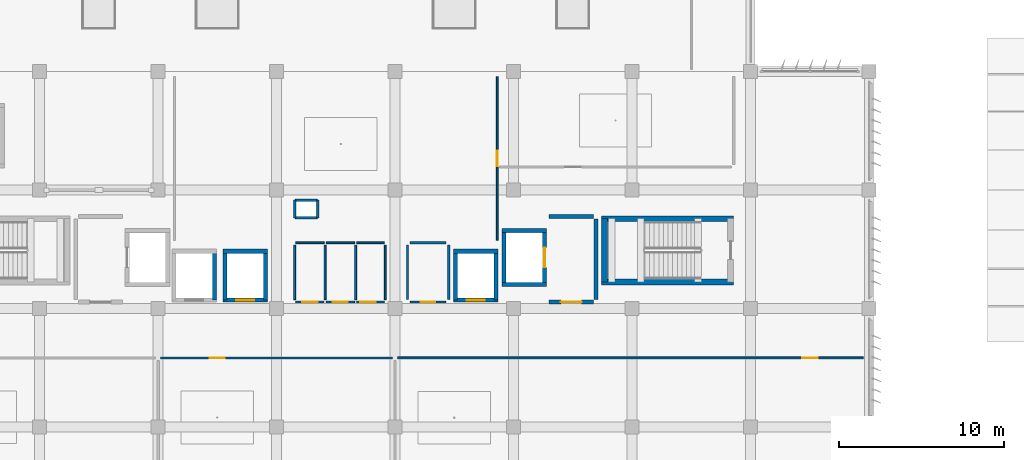
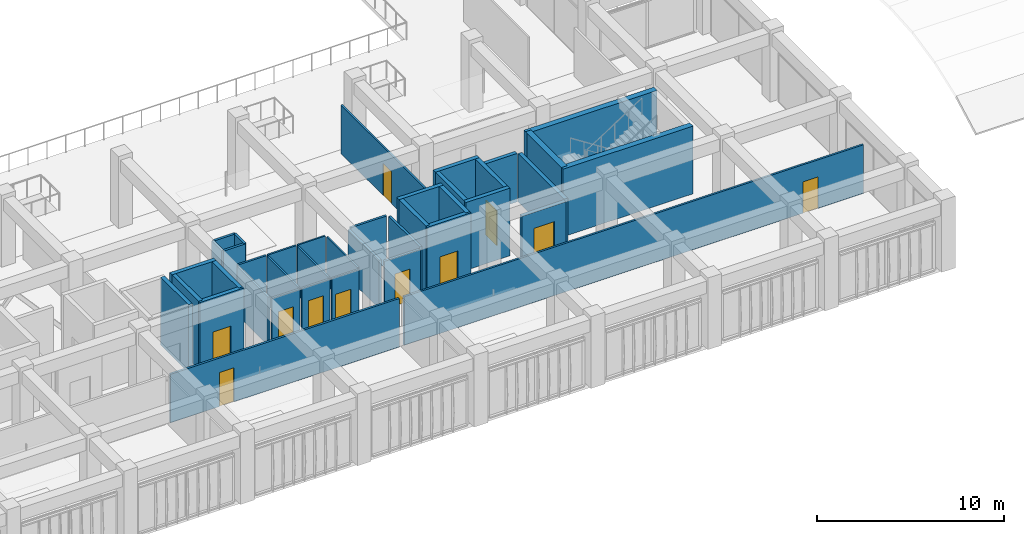
# One storey, part 31 of 55: 40 walls, 11 doors, 11 openings.
"""IFC4 building model written with IfcOpenShell, lengths in metres."""

import ifcopenshell
import ifcopenshell.guid

model = None  # the IFC model being written
_history = None  # IfcOwnerHistory: only IFC2X3 demands one
_inside = {}  # id of a spatial element -> (the spatial element, [elements in it])
_under = {}  # id of a project, library or spatial element -> (it, [spatial elements below it])
_declared = {}  # id of a project -> (the project, [libraries it declares])
_typed = {}  # id of a type object -> (the type object, [elements of that type])
_made_of = {}  # id of a material, layer set ... -> (it, [elements and type objects made of it])


def new_model(schema):
    """Start an empty IFC model of exactly this schema.

    Asked for "IFC4X3", IfcOpenShell would pick the latest addendum, in which some entities
    have other attributes; the version numbers below select the first issue.
    IFC2X3 requires an IfcOwnerHistory on every rooted entity: one is made here for all.
    """
    global model, _history
    if schema == "IFC4X3":
        model = ifcopenshell.file(schema_version=(4, 3, 0, 0))
    else:
        model = ifcopenshell.file(schema=schema)
    _inside.clear()
    _under.clear()
    _declared.clear()
    _typed.clear()
    _made_of.clear()
    _history = None
    if model.schema == "IFC2X3":
        org = make("IfcOrganization", Name="unknown")
        user = make(
            "IfcPersonAndOrganization",
            ThePerson=make("IfcPerson", FamilyName="unknown"),
            TheOrganization=org,
        )
        app = make(
            "IfcApplication",
            ApplicationDeveloper=org,
            Version="unknown",
            ApplicationFullName="unknown",
            ApplicationIdentifier="unknown",
        )
        _history = make(
            "IfcOwnerHistory",
            OwningUser=user,
            OwningApplication=app,
            ChangeAction="ADDED",
            CreationDate=0,
        )
    return model


def make(cls, **values):
    """One entity of the class cls with the attributes given. An attribute that is None is left unset."""
    return model.create_entity(
        cls, **{name: value for name, value in values.items() if value is not None}
    )


def rooted(cls, **values):
    """An entity with a GlobalId (a new one), such as an element, a storey or a relation."""
    return make(cls, GlobalId=ifcopenshell.guid.new(), OwnerHistory=_history, **values)


def si_unit(unit_type, name, prefix=None):
    """IfcSIUnit, for example si_unit("LENGTHUNIT", "METRE", prefix="MILLI")."""
    return make("IfcSIUnit", UnitType=unit_type, Prefix=prefix, Name=name)


def assignment(units):
    """IfcUnitAssignment: the units of a project."""
    return None if units is None else make("IfcUnitAssignment", Units=units)


def point(xyz):
    """IfcCartesianPoint."""
    return None if xyz is None else make("IfcCartesianPoint", Coordinates=xyz)


def direction(xyz):
    """IfcDirection."""
    return None if xyz is None else make("IfcDirection", DirectionRatios=xyz)


def frame(location, z_axis=None, x_axis=None):
    """IfcAxis2Placement3D, a coordinate frame: its origin and axes. An axis left out is left unset."""
    return make(
        "IfcAxis2Placement3D",
        Location=point(location),
        Axis=direction(z_axis),
        RefDirection=direction(x_axis),
    )


def frame_2d(location, x_axis=None):
    """IfcAxis2Placement2D, a coordinate frame in the plane: its origin and x axis."""
    return make(
        "IfcAxis2Placement2D", Location=point(location), RefDirection=direction(x_axis)
    )


def origin():
    """The frame at (0, 0, 0) with its axes left unset."""
    return frame((0.0, 0.0, 0.0))


def place(relative_to, where):
    """IfcLocalPlacement: puts the frame where relative to a parent placement (None: the world)."""
    return make(
        "IfcLocalPlacement", PlacementRelTo=relative_to, RelativePlacement=where
    )


def context(
    kind, dimensions, precision=None, world=None, true_north=None, identifier=None
):
    """IfcGeometricRepresentationContext, for example the 3D "Model" context."""
    return make(
        "IfcGeometricRepresentationContext",
        ContextIdentifier=identifier,
        ContextType=kind,
        CoordinateSpaceDimension=dimensions,
        Precision=precision,
        WorldCoordinateSystem=world,
        TrueNorth=true_north,
    )


def subcontext(parent, identifier, kind, view, scale=None):
    """IfcGeometricRepresentationSubContext, for example "Body" below "Model"."""
    return make(
        "IfcGeometricRepresentationSubContext",
        ContextIdentifier=identifier,
        ContextType=kind,
        ParentContext=parent,
        TargetScale=scale,
        TargetView=view,
    )


def project(units=None, contexts=None):
    """IfcProject with its units and contexts."""
    return rooted(
        "IfcProject",
        Name="project",
        RepresentationContexts=contexts,
        UnitsInContext=assignment(units),
    )


def spatial(cls, under=None, at=None, **own):
    """A site, building, storey or space (cls), placed at a placement, below another one or the project."""
    s = rooted(cls, ObjectPlacement=at, **own)
    if under is not None:
        _under.setdefault(under.id(), (under, []))[1].append(s)
    return s


def profile(cls, at=None, kind="AREA", **sizes):
    """A parametric profile (cls). Its sizes go by their IFC names, for example OverallWidth=200.0."""
    return make(cls, ProfileType=kind, Position=at, **sizes)


def rectangle(**sizes):
    """IfcRectangleProfileDef."""
    return profile("IfcRectangleProfileDef", **sizes)


def extrude(swept, where, along, depth):
    """IfcExtrudedAreaSolid: the profile swept, set in the frame where, extruded along a direction by depth."""
    return make(
        "IfcExtrudedAreaSolid",
        SweptArea=swept,
        Position=where,
        ExtrudedDirection=direction(along),
        Depth=depth,
    )


def shape(context_of_items, identifier, shape_type, items):
    """IfcShapeRepresentation: the items that make up one representation, for example the "Body"."""
    return make(
        "IfcShapeRepresentation",
        ContextOfItems=context_of_items,
        RepresentationIdentifier=identifier,
        RepresentationType=shape_type,
        Items=items,
    )


def material(Name=None, Category=None):
    """IfcMaterial."""
    return make("IfcMaterial", Name=Name, Category=Category)


def layer(
    of_material, thickness, ventilated=None, Name=None, Category=None, Priority=None
):
    """IfcMaterialLayer: one layer of a wall or slab, of a material (None: an air gap)."""
    return make(
        "IfcMaterialLayer",
        Material=of_material,
        LayerThickness=thickness,
        IsVentilated=ventilated,
        Name=Name,
        Category=Category,
        Priority=Priority,
    )


def layer_set(layers, Name=None):
    """IfcMaterialLayerSet."""
    return make("IfcMaterialLayerSet", MaterialLayers=layers, LayerSetName=Name)


def made_of(thing, what):
    """Note that an element or type object is made of a material, layer set ...; save() writes the relation."""
    if what is not None:
        _made_of.setdefault(what.id(), (what, []))[1].append(thing)
    return thing


def type_object(cls, material=None, **own):
    """A type object (cls), such as IfcWallType, which elements share."""
    return made_of(rooted(cls, **own), material)


def element(
    cls,
    number,
    at=None,
    inside=None,
    cuts=None,
    type_object=None,
    material=None,
    context=None,
    identifier="Body",
    shape_type=None,
    held_by="IfcProductDefinitionShape",
    body=None,
    shapes=None,
    **own,
):
    """One element of the class cls, such as IfcWall. Its Tag is "e" and its number.

    at: its placement. inside: the storey or other place that contains it. cuts: it is an
    opening in that element (IfcRelVoidsElement). A single representation is given by context,
    identifier, shape_type and body (its items); several are given by shapes. held_by: the class
    of the entity that holds the representations. save() writes the other relations.
    """
    e = rooted(cls, Tag="e%d" % number, ObjectPlacement=at, **own)
    if body is not None:
        shapes = [shape(context, identifier, shape_type, body)]
    if shapes is not None:
        e.Representation = make(held_by, Representations=shapes)
    if inside is not None:
        _inside.setdefault(inside.id(), (inside, []))[1].append(e)
    if cuts is not None:
        rooted(
            "IfcRelVoidsElement", RelatingBuildingElement=cuts, RelatedOpeningElement=e
        )
    if type_object is not None:
        _typed.setdefault(type_object.id(), (type_object, []))[1].append(e)
    return made_of(e, material)


def fill(opening, filler):
    """IfcRelFillsElement: the door or window that sits in an opening."""
    return rooted(
        "IfcRelFillsElement",
        RelatingOpeningElement=opening,
        RelatedBuildingElement=filler,
    )


def aggregate(whole, parts):
    """IfcRelAggregates: a whole, such as a stair, and the parts it consists of."""
    return rooted("IfcRelAggregates", RelatingObject=whole, RelatedObjects=parts)


def save(model, path):
    """Write the relations noted so far, then the file.

    IfcRelAggregates (storeys below a building ...), IfcRelContainedInSpatialStructure (elements
    in a storey), IfcRelDefinesByType, IfcRelAssociatesMaterial and IfcRelDeclares: one each for
    every whole, place, type object, material and project.
    """
    for whole, parts in _under.values():
        aggregate(whole, parts)
    for where, things in _inside.values():
        rooted(
            "IfcRelContainedInSpatialStructure",
            RelatedElements=things,
            RelatingStructure=where,
        )
    for kind, things in _typed.values():
        rooted("IfcRelDefinesByType", RelatedObjects=things, RelatingType=kind)
    for what, things in _made_of.values():
        rooted("IfcRelAssociatesMaterial", RelatedObjects=things, RelatingMaterial=what)
    for by, libraries in _declared.values():
        rooted("IfcRelDeclares", RelatingContext=by, RelatedDefinitions=libraries)
    model.write(path)


model = new_model("IFC4")

# Units and contexts
model_context = context("Model", 3, precision=1e-05, world=origin(), true_north=direction((0.0, 1.0)))
body_context = subcontext(model_context, "Body", "Model", "MODEL_VIEW")
ifc_project = project(units=[si_unit("LENGTHUNIT", "METRE"), si_unit("AREAUNIT", "SQUARE_METRE"), si_unit("VOLUMEUNIT", "CUBIC_METRE"), si_unit("PLANEANGLEUNIT", "RADIAN"), si_unit("MASSUNIT", "GRAM", prefix="KILO")], contexts=[model_context])

# Site, building, storey
site_placement = place(None, origin())
site = spatial("IfcSite", under=ifc_project, at=site_placement, CompositionType="ELEMENT")
building_placement = place(site_placement, origin())
building = spatial("IfcBuilding", under=site, at=building_placement, Name="Kazehaya Institute of Natural Sciences", CompositionType="ELEMENT")
storey_placement = place(building_placement, frame((0.0, 0.0, 15.1201171875)))
storey = spatial("IfcBuildingStorey", under=building, at=storey_placement, Name="L03", CompositionType="ELEMENT", Elevation=15.1201171875)

# Walls
ifc_material_1 = material(Name="Concrete Fc42", Category="concrete")
ifc_layer_1 = layer(ifc_material_1, 0.35009765625, Name="Concrete Fc42", Category="concrete")
ifc_layer_set_1 = layer_set([ifc_layer_1], Name="Concrete Fc42")
wall_type_1 = type_object("IfcWallType", Name="WL-CORE-350", PredefinedType="SHEAR", material=ifc_layer_set_1)
for number, where, z_axis, x_axis, name in (
    (1, (111.155029296875, 22.820068359375, 0.0), (0.0, 0.0, 1.0), (-1.0, 0.0, 0.0), "L03 ST-2 core wall S"),
    (2, (103.14501953125, 26.659912109375, 0.0), (0.0, 0.0, 1.0), (1.0, 0.0, 0.0), "L03 ST-2 core wall N"),
):
    element("IfcWall", number, at=place(storey_placement, frame(where, z_axis=z_axis, x_axis=x_axis)), inside=storey, type_object=wall_type_1, Name=name, PredefinedType="SHEAR", context=body_context, shape_type="SweptSolid", body=[
        extrude(rectangle(XDim=8.010009765625, YDim=0.35009765625, at=frame_2d((4.0048828125, 0.0))), origin(), (0.0, 0.0, 1.0), 4.409912109375),
    ])
wall_1_placement = place(storey_placement, frame((103.320068359375, 22.820068359375, 0.0), z_axis=(0.0, 0.0, 1.0), x_axis=(0.0, 1.0, 0.0)))
element("IfcWall", 3, at=wall_1_placement, inside=storey, type_object=wall_type_1, Name="L03 ST-2 core wall W", PredefinedType="SHEAR", context=body_context, shape_type="SweptSolid", body=[
    extrude(rectangle(XDim=3.83984375, YDim=0.35009765625, at=frame_2d((1.919921875, 0.0))), origin(), (0.0, 0.0, 1.0), 4.409912109375),
])

# Wall, opening, door
ifc_material_2 = material(Name="Concrete Fc36", Category="concrete")
ifc_layer_2 = layer(ifc_material_2, 0.22998046875, Name="Concrete Fc36", Category="concrete")
ifc_layer_set_2 = layer_set([ifc_layer_2], Name="Concrete Fc36")
wall_type_2 = type_object("IfcWallType", Name="WL-FFL-230", PredefinedType="PARTITIONING", material=ifc_layer_set_2)
wall_2_placement = place(storey_placement, frame((102.64990234375, 21.60009765625, 0.0), z_axis=(0.0, 0.0, 1.0), x_axis=(-1.0, 0.0, 0.0)))
wall_2 = element("IfcWall", 4, at=wall_2_placement, inside=storey, type_object=wall_type_2, Name="L03 East Firefighting Lift Lobby partition IW-L03-0176", PredefinedType="PARTITIONING", context=body_context, shape_type="SweptSolid", body=[
    extrude(rectangle(XDim=2.699951171875, YDim=0.22998046875, at=frame_2d((1.35009765625, 0.0))), origin(), (0.0, 0.0, 1.0), 3.159912109375),
])
opening_1_placement = place(wall_2_placement, frame((0.719970703125, 0.0, 0.0)))
opening_1 = element("IfcOpeningElement", 5, at=opening_1_placement, cuts=wall_2, Name="Opening D-L03-0120", PredefinedType="OPENING", context=body_context, shape_type="SweptSolid", body=[
    extrude(rectangle(XDim=1.260009765625, YDim=2.1201171875, at=frame_2d((0.6298828125, 1.06005859375))), frame((0.0, 0.125, 0.0), z_axis=(0.0, -1.0, 0.0), x_axis=(1.0, 0.0, 0.0)), (0.0, 0.0, 1.0), 0.25),
])
ifc_material_3 = material(Name="Fire-rated steel acoustic door", Category="steel")
door_type_1 = type_object("IfcDoorType", Name="DT-FD-29", OperationType="NOTDEFINED", PredefinedType="DOOR", material=ifc_material_3)
door_1_placement = place(opening_1_placement, origin())
door_1 = element("IfcDoor", 6, at=door_1_placement, inside=storey, type_object=door_type_1, Name="L03 East Firefighting Lift Lobby door D-L03-0120", OperationType="SINGLE_SWING_RIGHT", OverallHeight=2.1201171875, OverallWidth=1.260009765625, PredefinedType="DOOR", context=body_context, shape_type="SweptSolid", body=[
    extrude(rectangle(XDim=1.260009765625, YDim=2.1201171875, at=frame_2d((0.6298828125, 1.06005859375))), frame((0.0, 0.02490234375, 0.0), z_axis=(0.0, -1.0, 0.0), x_axis=(1.0, 0.0, 0.0)), (0.0, 0.0, 1.0), 0.050048828125),
])
fill(opening_1, door_1)

# Walls
wall_3_placement = place(storey_placement, frame((99.949951171875, 26.800048828125, 0.0), z_axis=(0.0, 0.0, 1.0), x_axis=(1.0, 0.0, 0.0)))
element("IfcWall", 7, at=wall_3_placement, inside=storey, type_object=wall_type_2, Name="L03 East Firefighting Lift Lobby partition IW-L03-0177", PredefinedType="PARTITIONING", context=body_context, shape_type="SweptSolid", body=[
    extrude(rectangle(XDim=2.699951171875, YDim=0.22998046875, at=frame_2d((1.35009765625, 0.0))), origin(), (0.0, 0.0, 1.0), 3.159912109375),
])
wall_4_placement = place(storey_placement, frame((102.800048828125, 26.64990234375, 0.0), z_axis=(0.0, 0.0, 1.0), x_axis=(0.0, -1.0, 0.0)))
element("IfcWall", 8, at=wall_4_placement, inside=storey, type_object=wall_type_2, Name="L03 East Firefighting Lift Lobby partition IW-L03-0178", PredefinedType="PARTITIONING", context=body_context, shape_type="SweptSolid", body=[
    extrude(rectangle(XDim=4.89990234375, YDim=0.22998046875, at=frame_2d((2.449951171875, 0.0))), origin(), (0.0, 0.0, 1.0), 3.159912109375),
])

# Wall, opening, door
ifc_material_4 = material(Name="Lightweight chase partition")
ifc_layer_3 = layer(ifc_material_4, 0.10009765625, Name="Lightweight chase partition")
ifc_layer_set_3 = layer_set([ifc_layer_3], Name="Lightweight chase partition")
wall_type_3 = type_object("IfcWallType", Name="WL-PART-100", PredefinedType="PARTITIONING", material=ifc_layer_set_3)
wall_5_placement = place(storey_placement, frame((89.93994140625, 21.60009765625, 0.0), z_axis=(0.0, 0.0, 1.0), x_axis=(-1.0, 0.0, 0.0)))
wall_5 = element("IfcWall", 9, at=wall_5_placement, inside=storey, type_object=wall_type_3, Name="L03 Accessible WC partition IW-L03-0186", PredefinedType="PARTITIONING", context=body_context, shape_type="SweptSolid", body=[
    extrude(rectangle(XDim=1.679931640625, YDim=0.10009765625, at=frame_2d((0.83984375, 0.0))), origin(), (0.0, 0.0, 1.0), 3.159912109375),
])
opening_2_placement = place(wall_5_placement, frame((0.510009765625, 0.0, 0.0)))
opening_2 = element("IfcOpeningElement", 10, at=opening_2_placement, cuts=wall_5, Name="Opening D-L03-0123", PredefinedType="OPENING", context=body_context, shape_type="SweptSolid", body=[
    extrude(rectangle(XDim=0.9599609375, YDim=2.050048828125, at=frame_2d((0.47998046875, 1.02490234375))), frame((0.0, 0.06005859375, 0.0), z_axis=(0.0, -1.0, 0.0), x_axis=(1.0, 0.0, 0.0)), (0.0, 0.0, 1.0), 0.1201171875),
])
ifc_material_5 = material(Name="Flush timber and aluminium laboratory door", Category="wood")
door_type_2 = type_object("IfcDoorType", Name="DT-INT-09", OperationType="NOTDEFINED", PredefinedType="DOOR", material=ifc_material_5)
door_2_placement = place(opening_2_placement, origin())
door_2 = element("IfcDoor", 11, at=door_2_placement, inside=storey, type_object=door_type_2, Name="L03 Accessible WC door D-L03-0123", OperationType="SINGLE_SWING_LEFT", OverallHeight=2.050048828125, OverallWidth=0.9599609375, PredefinedType="DOOR", context=body_context, shape_type="SweptSolid", body=[
    extrude(rectangle(XDim=0.9599609375, YDim=2.050048828125, at=frame_2d((0.47998046875, 1.02490234375))), frame((0.0, 0.02490234375, 0.0), z_axis=(0.0, -1.0, 0.0), x_axis=(1.0, 0.0, 0.0)), (0.0, 0.0, 1.0), 0.050048828125),
])
fill(opening_2, door_2)

# Walls
wall_6_placement = place(storey_placement, frame((88.260009765625, 25.199951171875, 0.0), z_axis=(0.0, 0.0, 1.0), x_axis=(1.0, 0.0, 0.0)))
element("IfcWall", 12, at=wall_6_placement, inside=storey, type_object=wall_type_3, Name="L03 Accessible WC partition IW-L03-0187", PredefinedType="PARTITIONING", context=body_context, shape_type="SweptSolid", body=[
    extrude(rectangle(XDim=1.679931640625, YDim=0.10009765625, at=frame_2d((0.83984375, 0.0))), origin(), (0.0, 0.0, 1.0), 3.159912109375),
])
wall_7_placement = place(storey_placement, frame((90.0, 25.050048828125, 0.0), z_axis=(0.0, 0.0, 1.0), x_axis=(0.0, -1.0, 0.0)))
element("IfcWall", 13, at=wall_7_placement, inside=storey, type_object=wall_type_3, Name="L03 Accessible WC partition IW-L03-0188", PredefinedType="PARTITIONING", context=body_context, shape_type="SweptSolid", body=[
    extrude(rectangle(XDim=3.300048828125, YDim=0.10009765625, at=frame_2d((1.64990234375, 0.0))), origin(), (0.0, 0.0, 1.0), 3.159912109375),
])

# Wall, opening, door
ifc_material_6 = material(Name="Glazed office demountable partition")
ifc_layer_4 = layer(ifc_material_6, 0.110107421875, Name="Glazed office demountable partition")
ifc_layer_set_4 = layer_set([ifc_layer_4], Name="Glazed office demountable partition")
wall_type_4 = type_object("IfcWallType", Name="WL-PART-110", PredefinedType="PARTITIONING", material=ifc_layer_set_4)
wall_8_placement = place(storey_placement, frame((88.139892578125, 21.60009765625, 0.0), z_axis=(0.0, 0.0, 1.0), x_axis=(-1.0, 0.0, 0.0)))
wall_8 = element("IfcWall", 14, at=wall_8_placement, inside=storey, type_object=wall_type_4, Name="L03 Female WC partition IW-L03-0183", PredefinedType="PARTITIONING", context=body_context, shape_type="SweptSolid", body=[
    extrude(rectangle(XDim=1.72998046875, YDim=0.110107421875, at=frame_2d((0.864990234375, 0.0))), origin(), (0.0, 0.0, 1.0), 3.159912109375),
])
opening_3_placement = place(wall_8_placement, frame((0.405029296875, 0.0, 0.0)))
opening_3 = element("IfcOpeningElement", 15, at=opening_3_placement, cuts=wall_8, Name="Opening D-L03-0122", PredefinedType="OPENING", context=body_context, shape_type="SweptSolid", body=[
    extrude(rectangle(XDim=0.929931640625, YDim=2.219970703125, at=frame_2d((0.46484375, 1.10986328125))), frame((0.0, 0.06494140625, 0.0), z_axis=(0.0, -1.0, 0.0), x_axis=(1.0, 0.0, 0.0)), (0.0, 0.0, 1.0), 0.130126953125),
])
door_type_3 = type_object("IfcDoorType", Name="DT-INT-08", OperationType="NOTDEFINED", PredefinedType="DOOR", material=ifc_material_5)
door_3_placement = place(opening_3_placement, origin())
door_3 = element("IfcDoor", 16, at=door_3_placement, inside=storey, type_object=door_type_3, Name="L03 Female WC door D-L03-0122", OperationType="SINGLE_SWING_RIGHT", OverallHeight=2.219970703125, OverallWidth=0.929931640625, PredefinedType="DOOR", context=body_context, shape_type="SweptSolid", body=[
    extrude(rectangle(XDim=0.929931640625, YDim=2.219970703125, at=frame_2d((0.46484375, 1.10986328125))), frame((0.0, 0.02490234375, 0.0), z_axis=(0.0, -1.0, 0.0), x_axis=(1.0, 0.0, 0.0)), (0.0, 0.0, 1.0), 0.050048828125),
])
fill(opening_3, door_3)

# Walls
wall_9_placement = place(storey_placement, frame((86.409912109375, 25.199951171875, 0.0), z_axis=(0.0, 0.0, 1.0), x_axis=(1.0, 0.0, 0.0)))
element("IfcWall", 17, at=wall_9_placement, inside=storey, type_object=wall_type_4, Name="L03 Female WC partition IW-L03-0184", PredefinedType="PARTITIONING", context=body_context, shape_type="SweptSolid", body=[
    extrude(rectangle(XDim=1.72998046875, YDim=0.110107421875, at=frame_2d((0.864990234375, 0.0))), origin(), (0.0, 0.0, 1.0), 3.159912109375),
])
wall_10_placement = place(storey_placement, frame((88.199951171875, 25.050048828125, 0.0), z_axis=(0.0, 0.0, 1.0), x_axis=(0.0, -1.0, 0.0)))
element("IfcWall", 18, at=wall_10_placement, inside=storey, type_object=wall_type_4, Name="L03 Female WC partition IW-L03-0185", PredefinedType="PARTITIONING", context=body_context, shape_type="SweptSolid", body=[
    extrude(rectangle(XDim=3.300048828125, YDim=0.110107421875, at=frame_2d((1.64990234375, 0.0))), origin(), (0.0, 0.0, 1.0), 3.159912109375),
])

# Wall, opening, door
wall_11_placement = place(storey_placement, frame((96.800048828125, 35.300048828125, 0.0), z_axis=(0.0, 0.0, 1.0), x_axis=(0.0, -1.0, 0.0)))
wall_11 = element("IfcWall", 19, at=wall_11_placement, inside=storey, type_object=wall_type_4, Name="L03 Isotope Geochemistry Laboratory partition IW-L03-0199", PredefinedType="PARTITIONING", context=body_context, shape_type="SweptSolid", body=[
    extrude(rectangle(XDim=9.949951171875, YDim=0.110107421875, at=frame_2d((4.97509765625, 0.0))), origin(), (0.0, 0.0, 1.0), 3.159912109375),
])
opening_4_placement = place(wall_11_placement, frame((4.510009765625, 0.0, 0.0)))
opening_4 = element("IfcOpeningElement", 20, at=opening_4_placement, cuts=wall_11, Name="Opening D-L03-0128", PredefinedType="OPENING", context=body_context, shape_type="SweptSolid", body=[
    extrude(rectangle(XDim=0.929931640625, YDim=2.10009765625, at=frame_2d((0.46484375, 1.050048828125))), frame((0.0, 0.06494140625, 0.0), z_axis=(0.0, -1.0, 0.0), x_axis=(1.0, 0.0, 0.0)), (0.0, 0.0, 1.0), 0.130126953125),
])
door_type_4 = type_object("IfcDoorType", Name="DT-INT-06", OperationType="NOTDEFINED", PredefinedType="DOOR", material=ifc_material_5)
door_4_placement = place(opening_4_placement, origin())
door_4 = element("IfcDoor", 21, at=door_4_placement, inside=storey, type_object=door_type_4, Name="L03 Isotope Geochemistry Laboratory door D-L03-0128", OperationType="SINGLE_SWING_RIGHT", OverallHeight=2.10009765625, OverallWidth=0.929931640625, PredefinedType="DOOR", context=body_context, shape_type="SweptSolid", body=[
    extrude(rectangle(XDim=0.929931640625, YDim=2.10009765625, at=frame_2d((0.46484375, 1.050048828125))), frame((0.0, 0.02490234375, 0.0), z_axis=(0.0, -1.0, 0.0), x_axis=(1.0, 0.0, 0.0)), (0.0, 0.0, 1.0), 0.050048828125),
])
fill(opening_4, door_4)

ifc_material_7 = material(Name="Gypsum write-up office partition", Category="gypsum")
ifc_layer_5 = layer(ifc_material_7, 0.1201171875, Name="Gypsum write-up office partition", Category="gypsum")
ifc_layer_set_5 = layer_set([ifc_layer_5], Name="Gypsum write-up office partition")
wall_type_5 = type_object("IfcWallType", Name="WL-PART-120", PredefinedType="PARTITIONING", material=ifc_layer_set_5)
wall_12_placement = place(storey_placement, frame((86.2900390625, 21.60009765625, 0.0), z_axis=(0.0, 0.0, 1.0), x_axis=(-1.0, 0.0, 0.0)))
wall_12 = element("IfcWall", 22, at=wall_12_placement, inside=storey, type_object=wall_type_5, Name="L03 Male WC partition IW-L03-0179", PredefinedType="PARTITIONING", context=body_context, shape_type="SweptSolid", body=[
    extrude(rectangle(XDim=1.72998046875, YDim=0.1201171875, at=frame_2d((0.864990234375, 0.0))), origin(), (0.0, 0.0, 1.0), 3.159912109375),
])
opening_5_placement = place(wall_12_placement, frame((0.405029296875, 0.0, 0.0)))
opening_5 = element("IfcOpeningElement", 23, at=opening_5_placement, cuts=wall_12, Name="Opening D-L03-0121", PredefinedType="OPENING", context=body_context, shape_type="SweptSolid", body=[
    extrude(rectangle(XDim=0.929931640625, YDim=2.159912109375, at=frame_2d((0.46484375, 1.080078125))), frame((0.0, 0.070068359375, 0.0), z_axis=(0.0, -1.0, 0.0), x_axis=(1.0, 0.0, 0.0)), (0.0, 0.0, 1.0), 0.14013671875),
])
door_type_5 = type_object("IfcDoorType", Name="DT-INT-07", OperationType="NOTDEFINED", PredefinedType="DOOR", material=ifc_material_5)
door_5_placement = place(opening_5_placement, origin())
door_5 = element("IfcDoor", 24, at=door_5_placement, inside=storey, type_object=door_type_5, Name="L03 Male WC door D-L03-0121", OperationType="SINGLE_SWING_LEFT", OverallHeight=2.159912109375, OverallWidth=0.929931640625, PredefinedType="DOOR", context=body_context, shape_type="SweptSolid", body=[
    extrude(rectangle(XDim=0.929931640625, YDim=2.159912109375, at=frame_2d((0.46484375, 1.080078125))), frame((0.0, 0.02490234375, 0.0), z_axis=(0.0, -1.0, 0.0), x_axis=(1.0, 0.0, 0.0)), (0.0, 0.0, 1.0), 0.050048828125),
])
fill(opening_5, door_5)

# Walls
wall_13_placement = place(storey_placement, frame((84.56005859375, 25.199951171875, 0.0), z_axis=(0.0, 0.0, 1.0), x_axis=(1.0, 0.0, 0.0)))
element("IfcWall", 25, at=wall_13_placement, inside=storey, type_object=wall_type_5, Name="L03 Male WC partition IW-L03-0180", PredefinedType="PARTITIONING", context=body_context, shape_type="SweptSolid", body=[
    extrude(rectangle(XDim=1.72998046875, YDim=0.1201171875, at=frame_2d((0.864990234375, 0.0))), origin(), (0.0, 0.0, 1.0), 3.159912109375),
])
for number, where, z_axis, x_axis, name in (
    (26, (84.5, 21.75, 0.0), (0.0, 0.0, 1.0), (0.0, 1.0, 0.0), "L03 Male WC partition IW-L03-0181"),
    (27, (86.35009765625, 25.050048828125, 0.0), (0.0, 0.0, 1.0), (0.0, -1.0, 0.0), "L03 Male WC partition IW-L03-0182"),
):
    element("IfcWall", number, at=place(storey_placement, frame(where, z_axis=z_axis, x_axis=x_axis)), inside=storey, type_object=wall_type_5, Name=name, PredefinedType="PARTITIONING", context=body_context, shape_type="SweptSolid", body=[
        extrude(rectangle(XDim=3.300048828125, YDim=0.1201171875, at=frame_2d((1.64990234375, 0.0))), origin(), (0.0, 0.0, 1.0), 3.159912109375),
    ])

# Wall, opening, door
wall_14_placement = place(storey_placement, frame((90.75, 18.199951171875, 0.0), z_axis=(0.0, 0.0, 1.0), x_axis=(1.0, 0.0, 0.0)))
wall_14 = element("IfcWall", 28, at=wall_14_placement, inside=storey, type_object=wall_type_5, Name="L03 Researcher Write-up Office partition IW-L03-0197", PredefinedType="PARTITIONING", context=body_context, shape_type="SweptSolid", body=[
    extrude(rectangle(XDim=28.300048828125, YDim=0.1201171875, at=frame_2d((14.14990234375, 0.0))), origin(), (0.0, 0.0, 1.0), 3.159912109375),
])
opening_6_placement = place(wall_14_placement, frame((24.5849609375, 0.0, 0.0)))
opening_6 = element("IfcOpeningElement", 29, at=opening_6_placement, cuts=wall_14, Name="Opening D-L03-0127", PredefinedType="OPENING", context=body_context, shape_type="SweptSolid", body=[
    extrude(rectangle(XDim=0.929931640625, YDim=2.050048828125, at=frame_2d((0.46484375, 1.02490234375))), frame((0.0, 0.070068359375, 0.0), z_axis=(0.0, -1.0, 0.0), x_axis=(1.0, 0.0, 0.0)), (0.0, 0.0, 1.0), 0.14013671875),
])
door_type_6 = type_object("IfcDoorType", Name="DT-INT-05", OperationType="NOTDEFINED", PredefinedType="DOOR", material=ifc_material_5)
door_6_placement = place(opening_6_placement, origin())
door_6 = element("IfcDoor", 30, at=door_6_placement, inside=storey, type_object=door_type_6, Name="L03 Researcher Write-up Office door D-L03-0127", OperationType="SINGLE_SWING_LEFT", OverallHeight=2.050048828125, OverallWidth=0.929931640625, PredefinedType="DOOR", context=body_context, shape_type="SweptSolid", body=[
    extrude(rectangle(XDim=0.929931640625, YDim=2.050048828125, at=frame_2d((0.46484375, 1.02490234375))), frame((0.0, 0.02490234375, 0.0), z_axis=(0.0, -1.0, 0.0), x_axis=(1.0, 0.0, 0.0)), (0.0, 0.0, 1.0), 0.050048828125),
])
fill(opening_6, door_6)

ifc_material_8 = material(Name="Moisture-resistant WC partition")
ifc_layer_6 = layer(ifc_material_8, 0.1298828125, Name="Moisture-resistant WC partition")
ifc_layer_set_6 = layer_set([ifc_layer_6], Name="Moisture-resistant WC partition")
wall_type_6 = type_object("IfcWallType", Name="WL-PART-130", PredefinedType="PARTITIONING", material=ifc_layer_set_6)
wall_15_placement = place(storey_placement, frame((76.35009765625, 18.199951171875, 0.0), z_axis=(0.0, 0.0, 1.0), x_axis=(1.0, 0.0, 0.0)))
wall_15 = element("IfcWall", 31, at=wall_15_placement, inside=storey, type_object=wall_type_6, Name="L03 Marine Biogeochemistry Laboratory partition IW-L03-0195", PredefinedType="PARTITIONING", context=body_context, shape_type="SweptSolid", body=[
    extrude(rectangle(XDim=14.099853515625, YDim=0.1298828125, at=frame_2d((7.0498046875, 0.0))), origin(), (0.0, 0.0, 1.0), 3.159912109375),
])
opening_7_placement = place(wall_15_placement, frame((3.0, 0.0, 0.0)))
opening_7 = element("IfcOpeningElement", 32, at=opening_7_placement, cuts=wall_15, Name="Opening D-L03-0126", PredefinedType="OPENING", context=body_context, shape_type="SweptSolid", body=[
    extrude(rectangle(XDim=0.89990234375, YDim=2.219970703125, at=frame_2d((0.449951171875, 1.10986328125))), frame((0.0, 0.074951171875, 0.0), z_axis=(0.0, -1.0, 0.0), x_axis=(1.0, 0.0, 0.0)), (0.0, 0.0, 1.0), 0.14990234375),
])
door_type_7 = type_object("IfcDoorType", Name="DT-INT-04", OperationType="NOTDEFINED", PredefinedType="DOOR", material=ifc_material_5)
door_7_placement = place(opening_7_placement, origin())
door_7 = element("IfcDoor", 33, at=door_7_placement, inside=storey, type_object=door_type_7, Name="L03 Marine Biogeochemistry Laboratory door D-L03-0126", OperationType="SINGLE_SWING_RIGHT", OverallHeight=2.219970703125, OverallWidth=0.89990234375, PredefinedType="DOOR", context=body_context, shape_type="SweptSolid", body=[
    extrude(rectangle(XDim=0.89990234375, YDim=2.219970703125, at=frame_2d((0.449951171875, 1.10986328125))), frame((0.0, 0.02490234375, 0.0), z_axis=(0.0, -1.0, 0.0), x_axis=(1.0, 0.0, 0.0)), (0.0, 0.0, 1.0), 0.050048828125),
])
fill(opening_7, door_7)

ifc_material_9 = material(Name="Gypsum partition", Category="gypsum")
ifc_layer_7 = layer(ifc_material_9, 0.139892578125, Name="Gypsum partition", Category="gypsum")
ifc_layer_set_7 = layer_set([ifc_layer_7], Name="Gypsum partition")
wall_type_7 = type_object("IfcWallType", Name="WL-PART-140", PredefinedType="PARTITIONING", material=ifc_layer_set_7)
wall_16_placement = place(storey_placement, frame((93.699951171875, 21.60009765625, 0.0), z_axis=(0.0, 0.0, 1.0), x_axis=(-1.0, 0.0, 0.0)))
wall_16 = element("IfcWall", 34, at=wall_16_placement, inside=storey, type_object=wall_type_7, Name="L03 Ostomate WC partition IW-L03-0189", PredefinedType="PARTITIONING", context=body_context, shape_type="SweptSolid", body=[
    extrude(rectangle(XDim=2.199951171875, YDim=0.139892578125, at=frame_2d((1.10009765625, 0.0))), origin(), (0.0, 0.0, 1.0), 3.159912109375),
])
opening_8_placement = place(wall_16_placement, frame((0.64990234375, 0.0, 0.0)))
opening_8 = element("IfcOpeningElement", 35, at=opening_8_placement, cuts=wall_16, Name="Opening D-L03-0124", PredefinedType="OPENING", context=body_context, shape_type="SweptSolid", body=[
    extrude(rectangle(XDim=0.89990234375, YDim=2.10009765625, at=frame_2d((0.449951171875, 1.050048828125))), frame((0.0, 0.079833984375, 0.0), z_axis=(0.0, -1.0, 0.0), x_axis=(1.0, 0.0, 0.0)), (0.0, 0.0, 1.0), 0.159912109375),
])
door_type_8 = type_object("IfcDoorType", Name="DT-INT-02", OperationType="NOTDEFINED", PredefinedType="DOOR", material=ifc_material_5)
door_8_placement = place(opening_8_placement, origin())
door_8 = element("IfcDoor", 36, at=door_8_placement, inside=storey, type_object=door_type_8, Name="L03 Ostomate WC door D-L03-0124", OperationType="SINGLE_SWING_RIGHT", OverallHeight=2.10009765625, OverallWidth=0.89990234375, PredefinedType="DOOR", context=body_context, shape_type="SweptSolid", body=[
    extrude(rectangle(XDim=0.89990234375, YDim=2.10009765625, at=frame_2d((0.449951171875, 1.050048828125))), frame((0.0, 0.02490234375, 0.0), z_axis=(0.0, -1.0, 0.0), x_axis=(1.0, 0.0, 0.0)), (0.0, 0.0, 1.0), 0.050048828125),
])
fill(opening_8, door_8)

# Walls
wall_17_placement = place(storey_placement, frame((91.5, 25.199951171875, 0.0), z_axis=(0.0, 0.0, 1.0), x_axis=(1.0, 0.0, 0.0)))
element("IfcWall", 37, at=wall_17_placement, inside=storey, type_object=wall_type_7, Name="L03 Ostomate WC partition IW-L03-0190", PredefinedType="PARTITIONING", context=body_context, shape_type="SweptSolid", body=[
    extrude(rectangle(XDim=2.199951171875, YDim=0.139892578125, at=frame_2d((1.10009765625, 0.0))), origin(), (0.0, 0.0, 1.0), 3.159912109375),
])
for number, where, z_axis, x_axis, name in (
    (38, (91.35009765625, 21.75, 0.0), (0.0, 0.0, 1.0), (0.0, 1.0, 0.0), "L03 Ostomate WC partition IW-L03-0191"),
    (39, (93.85009765625, 25.050048828125, 0.0), (0.0, 0.0, 1.0), (0.0, -1.0, 0.0), "L03 Ostomate WC partition IW-L03-0192"),
):
    element("IfcWall", number, at=place(storey_placement, frame(where, z_axis=z_axis, x_axis=x_axis)), inside=storey, type_object=wall_type_7, Name=name, PredefinedType="PARTITIONING", context=body_context, shape_type="SweptSolid", body=[
        extrude(rectangle(XDim=3.300048828125, YDim=0.139892578125, at=frame_2d((1.64990234375, 0.0))), origin(), (0.0, 0.0, 1.0), 3.159912109375),
    ])
ifc_layer_8 = layer(ifc_material_2, 0.14990234375, Name="Concrete Fc36", Category="concrete")
ifc_layer_set_8 = layer_set([ifc_layer_8], Name="Concrete Fc36")
wall_type_8 = type_object("IfcWallType", Name="WL-RISER-150", PredefinedType="PARTITIONING", material=ifc_layer_set_8)
for number, where, z_axis, x_axis, name in (
    (40, (85.885009765625, 26.715087890625, 0.0), (0.0, 0.0, 1.0), (-1.0, 0.0, 0.0), "L03 fume exhaust riser shaft wall 30"),
    (41, (84.514892578125, 27.784912109375, 0.0), (0.0, 0.0, 1.0), (1.0, 0.0, 0.0), "L03 fume exhaust riser shaft wall 30"),
):
    element("IfcWall", number, at=place(storey_placement, frame(where, z_axis=z_axis, x_axis=x_axis)), inside=storey, type_object=wall_type_8, Name=name, PredefinedType="PARTITIONING", context=body_context, shape_type="SweptSolid", body=[
        extrude(rectangle(XDim=1.3701171875, YDim=0.14990234375, at=frame_2d((0.68505859375, 0.0))), origin(), (0.0, 0.0, 1.0), 3.159912109375),
    ])
for number, where, z_axis, x_axis, name in (
    (42, (84.514892578125, 26.715087890625, 0.0), (0.0, 0.0, 1.0), (0.0, 1.0, 0.0), "L03 fume exhaust riser shaft wall 30"),
    (43, (85.885009765625, 27.784912109375, 0.0), (0.0, 0.0, 1.0), (0.0, -1.0, 0.0), "L03 fume exhaust riser shaft wall 30"),
):
    element("IfcWall", number, at=place(storey_placement, frame(where, z_axis=z_axis, x_axis=x_axis)), inside=storey, type_object=wall_type_8, Name=name, PredefinedType="PARTITIONING", context=body_context, shape_type="SweptSolid", body=[
        extrude(rectangle(XDim=1.06982421875, YDim=0.14990234375, at=frame_2d((0.534912109375, 0.0))), origin(), (0.0, 0.0, 1.0), 3.159912109375),
    ])
ifc_layer_9 = layer(ifc_material_1, 0.25, Name="Concrete Fc42", Category="concrete")
ifc_layer_set_9 = layer_set([ifc_layer_9], Name="Concrete Fc42")
wall_type_9 = type_object("IfcWallType", Name="WL-SHAFT-250", PredefinedType="SHEAR", material=ifc_layer_set_9)
for number, where, z_axis, x_axis, name in (
    (44, (99.81005859375, 22.6650390625, 0.0), (0.0, 0.0, 1.0), (-1.0, 0.0, 0.0), "L03 EL08 lift shaft wall south"),
    (45, (97.090087890625, 25.93505859375, 0.0), (0.0, 0.0, 1.0), (1.0, 0.0, 0.0), "L03 EL08 lift shaft wall north"),
):
    element("IfcWall", number, at=place(storey_placement, frame(where, z_axis=z_axis, x_axis=x_axis)), inside=storey, type_object=wall_type_9, Name=name, PredefinedType="SHEAR", context=body_context, shape_type="SweptSolid", body=[
        extrude(rectangle(XDim=2.719970703125, YDim=0.25, at=frame_2d((1.35986328125, 0.0))), origin(), (0.0, 0.0, 1.0), 4.409912109375),
    ])
wall_18_placement = place(storey_placement, frame((97.215087890625, 22.6650390625, 0.0), z_axis=(0.0, 0.0, 1.0), x_axis=(0.0, 1.0, 0.0)))
element("IfcWall", 46, at=wall_18_placement, inside=storey, type_object=wall_type_9, Name="L03 EL08 lift shaft wall west", PredefinedType="SHEAR", context=body_context, shape_type="SweptSolid", body=[
    extrude(rectangle(XDim=3.27001953125, YDim=0.25, at=frame_2d((1.635009765625, 0.0))), origin(), (0.0, 0.0, 1.0), 4.409912109375),
])

# Wall, opening, door
wall_19_placement = place(storey_placement, frame((99.68505859375, 25.93505859375, 0.0), z_axis=(0.0, 0.0, 1.0), x_axis=(0.0, -1.0, 0.0)))
wall_19 = element("IfcWall", 47, at=wall_19_placement, inside=storey, type_object=wall_type_9, Name="L03 EL08 lift shaft wall east", PredefinedType="SHEAR", context=body_context, shape_type="SweptSolid", body=[
    extrude(rectangle(XDim=3.27001953125, YDim=0.25, at=frame_2d((1.635009765625, 0.0))), origin(), (0.0, 0.0, 1.0), 4.409912109375),
])
opening_9_placement = place(wall_19_placement, frame((1.034912109375, 0.0, 0.0)))
opening_9 = element("IfcOpeningElement", 48, at=opening_9_placement, cuts=wall_19, Name="Opening LD-16", PredefinedType="OPENING", context=body_context, shape_type="SweptSolid", body=[
    extrude(rectangle(XDim=1.199951171875, YDim=2.25, at=frame_2d((0.60009765625, 1.125))), frame((0.0, 0.135009765625, 0.0), z_axis=(0.0, -1.0, 0.0), x_axis=(1.0, 0.0, 0.0)), (0.0, 0.0, 1.0), 0.27001953125),
])
ifc_material_10 = material(Name="Stainless-steel emergency lift landing door", Category="steel")
door_type_9 = type_object("IfcDoorType", Name="DT-LD-1200x2250", OperationType="SLIDING_TO_LEFT", PredefinedType="DOOR", material=ifc_material_10)
door_9_placement = place(opening_9_placement, origin())
door_9 = element("IfcDoor", 49, at=door_9_placement, inside=storey, type_object=door_type_9, Name="L03 EL08 sliding landing door LD-16", OperationType="SLIDING_TO_LEFT", OverallHeight=2.25, OverallWidth=1.199951171875, PredefinedType="DOOR", context=body_context, shape_type="SweptSolid", body=[
    extrude(rectangle(XDim=1.199951171875, YDim=2.25, at=frame_2d((0.60009765625, 1.125))), frame((0.0, 0.02490234375, 0.0), z_axis=(0.0, -1.0, 0.0), x_axis=(1.0, 0.0, 0.0)), (0.0, 0.0, 1.0), 0.050048828125),
])
fill(opening_9, door_9)

# Wall
wall_20_placement = place(storey_placement, frame((79.635009765625, 24.68505859375, 0.0), z_axis=(0.0, 0.0, 1.0), x_axis=(0.0, -1.0, 0.0)))
element("IfcWall", 50, at=wall_20_placement, inside=storey, type_object=wall_type_9, Name="L03 EL01 lift shaft wall east", PredefinedType="SHEAR", context=body_context, shape_type="SweptSolid", body=[
    extrude(rectangle(XDim=2.969970703125, YDim=0.25, at=frame_2d((1.48486328125, 0.0))), origin(), (0.0, 0.0, 1.0), 4.409912109375),
])

# Wall, opening, door
wall_21_placement = place(storey_placement, frame((82.860107421875, 21.715087890625, 0.0), z_axis=(0.0, 0.0, 1.0), x_axis=(-1.0, 0.0, 0.0)))
wall_21 = element("IfcWall", 51, at=wall_21_placement, inside=storey, type_object=wall_type_9, Name="L03 EL02 lift shaft wall south", PredefinedType="SHEAR", context=body_context, shape_type="SweptSolid", body=[
    extrude(rectangle(XDim=2.72021484375, YDim=0.25, at=frame_2d((1.360107421875, 0.0))), origin(), (0.0, 0.0, 1.0), 4.409912109375),
])
opening_10_placement = place(wall_21_placement, frame((0.81005859375, 0.0, 0.0)))
opening_10 = element("IfcOpeningElement", 52, at=opening_10_placement, cuts=wall_21, Name="Opening LD-38", PredefinedType="OPENING", context=body_context, shape_type="SweptSolid", body=[
    extrude(rectangle(XDim=1.10009765625, YDim=2.199951171875, at=frame_2d((0.550048828125, 1.10009765625))), frame((0.0, 0.135009765625, 0.0), z_axis=(0.0, -1.0, 0.0), x_axis=(1.0, 0.0, 0.0)), (0.0, 0.0, 1.0), 0.27001953125),
])
ifc_material_11 = material(Name="Stainless-steel sliding landing door", Category="steel")
door_type_10 = type_object("IfcDoorType", Name="DT-LD-1100x2200", OperationType="SLIDING_TO_LEFT", PredefinedType="DOOR", material=ifc_material_11)
door_10_placement = place(opening_10_placement, origin())
door_10 = element("IfcDoor", 53, at=door_10_placement, inside=storey, type_object=door_type_10, Name="L03 EL02 sliding landing door LD-38", OperationType="SLIDING_TO_LEFT", OverallHeight=2.199951171875, OverallWidth=1.10009765625, PredefinedType="DOOR", context=body_context, shape_type="SweptSolid", body=[
    extrude(rectangle(XDim=1.10009765625, YDim=2.199951171875, at=frame_2d((0.550048828125, 1.10009765625))), frame((0.0, 0.02490234375, 0.0), z_axis=(0.0, -1.0, 0.0), x_axis=(1.0, 0.0, 0.0)), (0.0, 0.0, 1.0), 0.050048828125),
])
fill(opening_10, door_10)

# Walls
wall_22_placement = place(storey_placement, frame((80.139892578125, 24.68505859375, 0.0), z_axis=(0.0, 0.0, 1.0), x_axis=(1.0, 0.0, 0.0)))
element("IfcWall", 54, at=wall_22_placement, inside=storey, type_object=wall_type_9, Name="L03 EL02 lift shaft wall north", PredefinedType="SHEAR", context=body_context, shape_type="SweptSolid", body=[
    extrude(rectangle(XDim=2.72021484375, YDim=0.25, at=frame_2d((1.360107421875, 0.0))), origin(), (0.0, 0.0, 1.0), 4.409912109375),
])
for number, where, z_axis, x_axis, name in (
    (55, (80.264892578125, 21.715087890625, 0.0), (0.0, 0.0, 1.0), (0.0, 1.0, 0.0), "L03 EL02 lift shaft wall west"),
    (56, (82.735107421875, 24.68505859375, 0.0), (0.0, 0.0, 1.0), (0.0, -1.0, 0.0), "L03 EL02 lift shaft wall east"),
):
    element("IfcWall", number, at=place(storey_placement, frame(where, z_axis=z_axis, x_axis=x_axis)), inside=storey, type_object=wall_type_9, Name=name, PredefinedType="SHEAR", context=body_context, shape_type="SweptSolid", body=[
        extrude(rectangle(XDim=2.969970703125, YDim=0.25, at=frame_2d((1.48486328125, 0.0))), origin(), (0.0, 0.0, 1.0), 4.409912109375),
    ])

# Wall, opening, door
wall_23_placement = place(storey_placement, frame((96.860107421875, 21.715087890625, 0.0), z_axis=(0.0, 0.0, 1.0), x_axis=(-1.0, 0.0, 0.0)))
wall_23 = element("IfcWall", 57, at=wall_23_placement, inside=storey, type_object=wall_type_9, Name="L03 EL03 lift shaft wall south", PredefinedType="SHEAR", context=body_context, shape_type="SweptSolid", body=[
    extrude(rectangle(XDim=2.72021484375, YDim=0.25, at=frame_2d((1.360107421875, 0.0))), origin(), (0.0, 0.0, 1.0), 4.409912109375),
])
opening_11_placement = place(wall_23_placement, frame((0.81005859375, 0.0, 0.0)))
opening_11 = element("IfcOpeningElement", 58, at=opening_11_placement, cuts=wall_23, Name="Opening LD-49", PredefinedType="OPENING", context=body_context, shape_type="SweptSolid", body=[
    extrude(rectangle(XDim=1.10009765625, YDim=2.199951171875, at=frame_2d((0.550048828125, 1.10009765625))), frame((0.0, 0.135009765625, 0.0), z_axis=(0.0, -1.0, 0.0), x_axis=(1.0, 0.0, 0.0)), (0.0, 0.0, 1.0), 0.27001953125),
])
door_11_placement = place(opening_11_placement, origin())
door_11 = element("IfcDoor", 59, at=door_11_placement, inside=storey, type_object=door_type_10, Name="L03 EL03 sliding landing door LD-49", OperationType="SLIDING_TO_LEFT", OverallHeight=2.199951171875, OverallWidth=1.10009765625, PredefinedType="DOOR", context=body_context, shape_type="SweptSolid", body=[
    extrude(rectangle(XDim=1.10009765625, YDim=2.199951171875, at=frame_2d((0.550048828125, 1.10009765625))), frame((0.0, 0.02490234375, 0.0), z_axis=(0.0, -1.0, 0.0), x_axis=(1.0, 0.0, 0.0)), (0.0, 0.0, 1.0), 0.050048828125),
])
fill(opening_11, door_11)

# Walls
wall_24_placement = place(storey_placement, frame((94.139892578125, 24.68505859375, 0.0), z_axis=(0.0, 0.0, 1.0), x_axis=(1.0, 0.0, 0.0)))
element("IfcWall", 60, at=wall_24_placement, inside=storey, type_object=wall_type_9, Name="L03 EL03 lift shaft wall north", PredefinedType="SHEAR", context=body_context, shape_type="SweptSolid", body=[
    extrude(rectangle(XDim=2.72021484375, YDim=0.25, at=frame_2d((1.360107421875, 0.0))), origin(), (0.0, 0.0, 1.0), 4.409912109375),
])
for number, where, z_axis, x_axis, name in (
    (61, (94.264892578125, 21.715087890625, 0.0), (0.0, 0.0, 1.0), (0.0, 1.0, 0.0), "L03 EL03 lift shaft wall west"),
    (62, (96.735107421875, 24.68505859375, 0.0), (0.0, 0.0, 1.0), (0.0, -1.0, 0.0), "L03 EL03 lift shaft wall east"),
):
    element("IfcWall", number, at=place(storey_placement, frame(where, z_axis=z_axis, x_axis=x_axis)), inside=storey, type_object=wall_type_9, Name=name, PredefinedType="SHEAR", context=body_context, shape_type="SweptSolid", body=[
        extrude(rectangle(XDim=2.969970703125, YDim=0.25, at=frame_2d((1.48486328125, 0.0))), origin(), (0.0, 0.0, 1.0), 4.409912109375),
    ])

save(model, "model.ifc")
